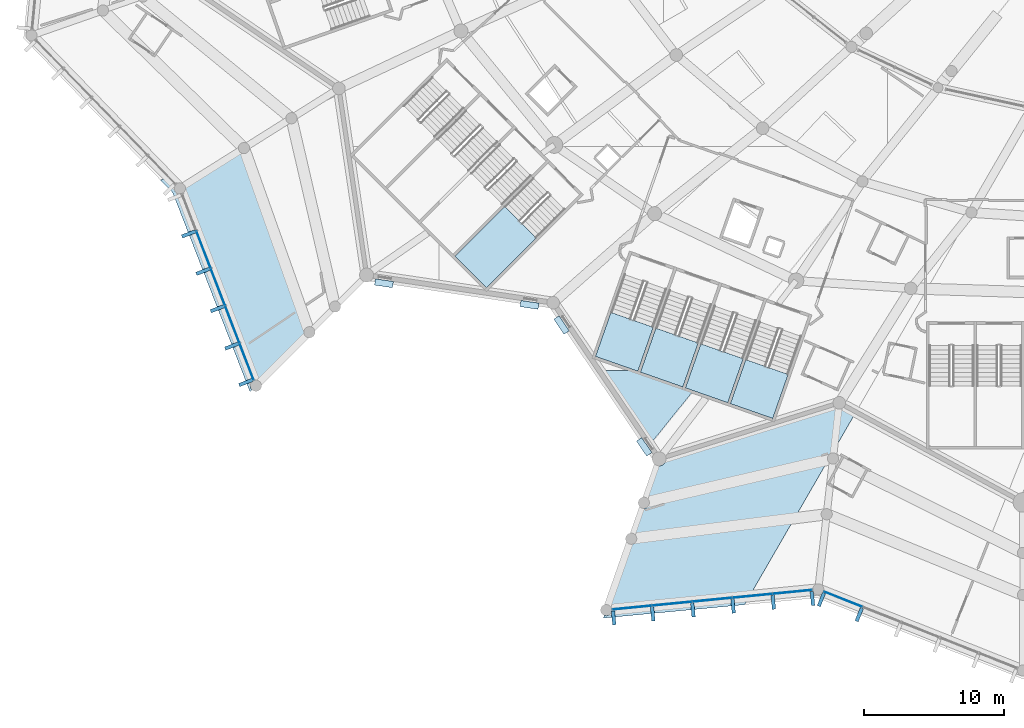
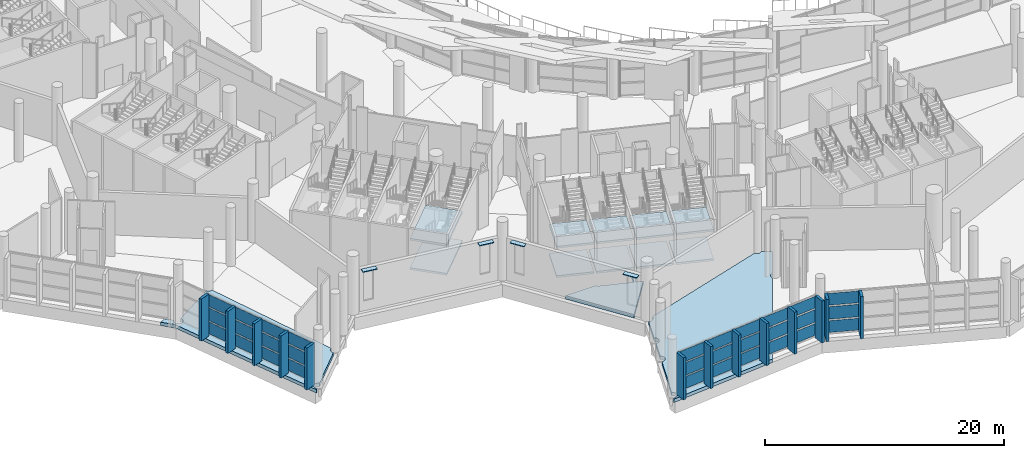
# One storey, part 96 of 249: 47 plates, 13 slabs, 8 elements without a shape of their own.
"""IFC4 building model written with IfcOpenShell, lengths in metres."""

from ifc_helpers import new_model, si_unit, direction, frame, origin, origin_2d, place, context, subcontext, project, spatial, polyline, rectangle, outline, extrude, material, layer, layer_set, type_object, element, aggregate, save


model = new_model("IFC4")

# Units and contexts
model_context = context("Model", 3, precision=1e-05, world=origin(), true_north=direction((0.0, 1.0)))
body_context = subcontext(model_context, "Body", "Model", "MODEL_VIEW")
ifc_project = project(units=[si_unit("LENGTHUNIT", "METRE"), si_unit("AREAUNIT", "SQUARE_METRE"), si_unit("VOLUMEUNIT", "CUBIC_METRE"), si_unit("PLANEANGLEUNIT", "RADIAN"), si_unit("MASSUNIT", "GRAM", prefix="KILO")], contexts=[model_context])

# Site, building, storey
site_placement = place(None, origin())
site = spatial("IfcSite", under=ifc_project, at=site_placement, CompositionType="ELEMENT")
building_placement = place(site_placement, origin())
building = spatial("IfcBuilding", under=site, at=building_placement, Name="Meseta Stadium", CompositionType="ELEMENT")
storey_placement = place(building_placement, frame((0.0, 0.0, 12.0)))
storey = spatial("IfcBuildingStorey", under=building, at=storey_placement, Name="L02", CompositionType="ELEMENT", Elevation=12.0)

# Slabs
ifc_material_1 = material(Name="Concrete C40/50", Category="concrete")
ifc_layer_1 = layer(ifc_material_1, 0.35009765625)
ifc_layer_set_1 = layer_set([ifc_layer_1], Name="Floor slab 350")
slab_type_1 = type_object("IfcSlabType", Name="Floor slab 350", PredefinedType="FLOOR", material=ifc_layer_set_1)
slab_1_placement = place(storey_placement, frame((0.0, 0.0, -0.35009765625)))
element("IfcSlab", 1, at=slab_1_placement, inside=storey, type_object=slab_type_1, Name="Floor slab L02 sector 35 panel 14", PredefinedType="FLOOR", context=body_context, shape_type="SweptSolid", body=[
    extrude(outline(polyline([(-65.8173828125, -96.0380859375), (-65.9267578125, -96.0), (-68.56640625, -96.0), (-64.973388671875, -101.294921875), (-61.85107421875, -97.426025390625), (-62.419677734375, -97.227294921875), (-61.990234375, -96.0), (-62.201904296875, -96.0), (-62.6083984375, -97.1611328125), (-65.62890625, -96.104248046875), (-65.59228515625, -96.0), (-65.80419921875, -96.0), (-65.8173828125, -96.0380859375)])), origin(), (0.0, 0.0, 1.0), 0.35009765625),
])
slab_2_placement = place(storey_placement, frame((0.0, 0.0, -0.35009765625)))
element("IfcSlab", 2, at=slab_2_placement, inside=storey, type_object=slab_type_1, Name="Ring floor slab L02 6 panel 01", PredefinedType="FLOOR", context=body_context, shape_type="SweptSolid", body=[
    extrude(outline(polyline([(-64.297607421875, -102.79541015625), (-64.423828125, -102.77880859375), (-65.22265625, -105.0615234375), (-65.19189453125, -105.07421875), (-65.1083984375, -105.138427734375), (-65.044189453125, -105.221923828125), (-65.00390625, -105.3193359375), (-64.989990234375, -105.423583984375), (-65.00390625, -105.528076171875), (-65.044189453125, -105.62548828125), (-65.1083984375, -105.708984375), (-65.19189453125, -105.773193359375), (-65.289306640625, -105.8134765625), (-65.3935546875, -105.8271484375), (-65.486083984375, -105.81494140625), (-66.12060546875, -107.627685546875), (-66.08984375, -107.640380859375), (-66.00634765625, -107.70458984375), (-65.942138671875, -107.7880859375), (-65.90185546875, -107.885498046875), (-65.88818359375, -107.989990234375), (-65.90185546875, -108.094482421875), (-65.942138671875, -108.191650390625), (-66.00634765625, -108.275146484375), (-66.08984375, -108.33935546875), (-66.18701171875, -108.379638671875), (-66.29150390625, -108.393310546875), (-66.38427734375, -108.38134765625), (-67.507568359375, -111.591796875), (-67.5458984375, -111.57470703125), (-67.942626953125, -112.708740234375), (-67.873291015625, -112.737548828125), (-67.789794921875, -112.801513671875), (-67.7255859375, -112.88525390625), (-67.685302734375, -112.982421875), (-67.671630859375, -113.0869140625), (-67.685302734375, -113.19140625), (-67.7255859375, -113.28857421875), (-67.789794921875, -113.372314453125), (-67.873291015625, -113.436279296875), (-67.970703125, -113.4765625), (-68.0751953125, -113.490478515625), (-68.179443359375, -113.4765625), (-68.20751953125, -113.465087890625), (-68.273193359375, -113.6533203125), (-58.19482421875, -112.697998046875), (-52.25732421875, -102.426025390625), (-52.279052734375, -102.373779296875), (-52.292724609375, -102.269287109375), (-52.279052734375, -102.164794921875), (-52.23876953125, -102.0673828125), (-52.174560546875, -101.98388671875), (-52.091064453125, -101.919921875), (-51.993896484375, -101.879638671875), (-51.937255859375, -101.8720703125), (-50.3193359375, -99.0732421875), (-51.138671875, -98.629150390625), (-51.214599609375, -98.6875), (-51.323974609375, -98.73291015625), (-51.44140625, -98.748291015625), (-51.558837890625, -98.73291015625), (-51.66845703125, -98.6875), (-51.762451171875, -98.615478515625), (-51.802001953125, -98.563720703125), (-63.793212890625, -102.29150390625), (-63.810302734375, -102.421630859375), (-63.860595703125, -102.543212890625), (-63.94091796875, -102.647705078125), (-64.04541015625, -102.727783203125), (-64.1669921875, -102.7783203125), (-64.297607421875, -102.79541015625)])), origin(), (0.0, 0.0, 1.0), 0.35009765625),
])
slab_3_placement = place(storey_placement, frame((0.0, 0.0, -0.35009765625)))
element("IfcSlab", 3, at=slab_3_placement, inside=storey, type_object=slab_type_1, Name="Ring floor slab L02 5 part 2 panel 05", PredefinedType="FLOOR", context=body_context, shape_type="SweptSolid", body=[
    extrude(outline(polyline([(-92.787841796875, -96.787841796875), (-92.12841796875, -96.12841796875), (-92.16064453125, -96.101318359375), (-89.56591796875, -93.506591796875), (-89.604248046875, -93.45654296875), (-89.64453125, -93.359375), (-89.658203125, -93.2548828125), (-89.64453125, -93.150390625), (-89.604248046875, -93.052978515625), (-89.5400390625, -92.969482421875), (-89.45654296875, -92.905517578125), (-89.388916015625, -92.87744140625), (-93.79052734375, -80.490478515625), (-93.8203125, -80.502685546875), (-93.924560546875, -80.5166015625), (-94.029052734375, -80.502685546875), (-94.126220703125, -80.46240234375), (-94.2099609375, -80.398193359375), (-94.264892578125, -80.32666015625), (-98.15673828125, -82.772216796875), (-98.1474609375, -82.7841796875), (-98.107177734375, -82.881591796875), (-98.093505859375, -82.986083984375), (-98.107177734375, -83.09033203125), (-98.1474609375, -83.187744140625), (-98.211669921875, -83.271240234375), (-98.295166015625, -83.33544921875), (-98.392578125, -83.375732421875), (-98.496826171875, -83.389404296875), (-98.601318359375, -83.375732421875), (-98.698486328125, -83.33544921875), (-98.7822265625, -83.271240234375), (-98.84619140625, -83.187744140625), (-98.88671875, -83.09033203125), (-98.900390625, -82.986083984375), (-98.88671875, -82.881591796875), (-98.84619140625, -82.7841796875), (-98.7822265625, -82.70068359375), (-98.77734375, -82.697021484375), (-99.322998046875, -82.135009765625), (-99.877197265625, -82.401611328125), (-99.0048828125, -83.30517578125), (-93.49755859375, -97.49755859375), (-93.3583984375, -97.3583984375), (-93.422607421875, -97.27490234375), (-93.462890625, -97.177490234375), (-93.476806640625, -97.0732421875), (-93.462890625, -96.96875), (-93.422607421875, -96.87158203125), (-93.3583984375, -96.787841796875), (-93.27490234375, -96.723876953125), (-93.217041015625, -96.69970703125), (-93.177490234375, -96.68359375), (-93.0732421875, -96.669921875), (-92.96875, -96.68359375), (-92.87158203125, -96.723876953125), (-92.787841796875, -96.787841796875)])), origin(), (0.0, 0.0, 1.0), 0.35009765625),
])

# Plates
ifc_material_2 = material(Name="White precast concrete C40/50", Category="concrete")
ifc_layer_2 = layer(ifc_material_2, 0.080078125)
ifc_layer_set_2 = layer_set([ifc_layer_2], Name="Louvre hood 1300x450")
plate_type_1 = type_object("IfcPlateType", Name="Louvre hood 1300x450", PredefinedType="USERDEFINED", material=ifc_layer_set_2)
for number, where, z_axis, x_axis, name in (
    (4, (-73.547607421875, -91.30419921875, 4.25), (0.0, 0.0, 1.0), (0.989158212782, -0.146853771096, 0.0), "Louvre hood L02 F40"),
    (5, (-83.933837890625, -89.76220703125, 4.25), (0.0, 0.0, 1.0), (0.989158212782, -0.146853771096, 0.0), "Louvre hood L02 F40"),
    (6, (-71.26123046875, -92.74072265625, 4.25), (0.0, 0.0, 1.0), (0.561490339842, -0.827483291834, 0.0), "Louvre hood L02 F41"),
    (7, (-65.36572265625, -101.42919921875, 4.25), (0.0, 0.0, 1.0), (0.561490339842, -0.827483291834, 0.0), "Louvre hood L02 F41"),
):
    element("IfcPlate", number, at=place(storey_placement, frame(where, z_axis=z_axis, x_axis=x_axis)), inside=storey, type_object=plate_type_1, Name=name, ObjectType="LOUVRE", PredefinedType="USERDEFINED", context=body_context, shape_type="SweptSolid", body=[
        extrude(rectangle(XDim=1.300048828125, YDim=0.449951171875, at=origin_2d()), origin(), (0.0, 0.0, 1.0), 0.080078125),
    ])

# Curtain wall, plates
ifc_material_3 = material(Name="Aluminium", Category="aluminium")
ifc_layer_3 = layer(ifc_material_3, 0.199951171875)
ifc_layer_set_3 = layer_set([ifc_layer_3], Name="Ring shopfront curtain wall")
curtain_wall_type = type_object("IfcCurtainWallType", Name="Ring shopfront curtain wall", PredefinedType="NOTDEFINED", material=ifc_layer_set_3)
curtain_wall_1_placement = place(storey_placement, origin())
curtain_wall_1 = element("IfcCurtainWall", 8, at=curtain_wall_1_placement, inside=storey, type_object=curtain_wall_type, Name="Ring glazing L02 F39", PredefinedType="NOTDEFINED")
ifc_material_4 = material(Name="Glass", Category="glass")
ifc_layer_4 = layer(ifc_material_4, 0.035888671875)
ifc_layer_set_4 = layer_set([ifc_layer_4], Name="Ring CW glass panel 36")
plate_type_2 = type_object("IfcPlateType", Name="Ring CW glass panel 36", PredefinedType="CURTAIN_PANEL", material=ifc_layer_set_4)
plate_1_placement = place(storey_placement, frame((-96.812255859375, -87.361572265625, 0.14990234375), z_axis=(0.0, 0.0, 1.0), x_axis=(0.359302033734, -0.933221328815, 0.0)))
plate_1 = element("IfcPlate", 9, at=plate_1_placement, type_object=plate_type_2, Name="CWR1 panel 2.1", PredefinedType="CURTAIN_PANEL", context=body_context, shape_type="SweptSolid", body=[
    extrude(rectangle(XDim=2.799072265625, YDim=0.035888671875, at=origin_2d()), origin(), (0.0, 0.0, 1.0), 1.208251953125),
])
plate_2_placement = place(storey_placement, frame((-96.812255859375, -87.361572265625, 1.50830078125), z_axis=(0.0, 0.0, 1.0), x_axis=(0.359302033734, -0.933221328815, 0.0)))
plate_2 = element("IfcPlate", 10, at=plate_2_placement, type_object=plate_type_2, Name="CWR1 panel 2.2", PredefinedType="CURTAIN_PANEL", context=body_context, shape_type="SweptSolid", body=[
    extrude(rectangle(XDim=2.799072265625, YDim=0.035888671875, at=origin_2d()), origin(), (0.0, 0.0, 1.0), 1.283447265625),
])
plate_3_placement = place(storey_placement, frame((-96.812255859375, -87.361572265625, 2.94189453125), z_axis=(0.0, 0.0, 1.0), x_axis=(0.359302033734, -0.933221328815, 0.0)))
plate_3 = element("IfcPlate", 11, at=plate_3_placement, type_object=plate_type_2, Name="CWR1 panel 2.3", PredefinedType="CURTAIN_PANEL", context=body_context, shape_type="SweptSolid", body=[
    extrude(rectangle(XDim=2.799072265625, YDim=0.035888671875, at=origin_2d()), origin(), (0.0, 0.0, 1.0), 1.208251953125),
])
plate_4_placement = place(storey_placement, frame((-95.78515625, -90.029541015625, 0.14990234375), z_axis=(0.0, 0.0, 1.0), x_axis=(0.359302033734, -0.933221328815, 0.0)))
plate_4 = element("IfcPlate", 12, at=plate_4_placement, type_object=plate_type_2, Name="CWR1 panel 3.1", PredefinedType="CURTAIN_PANEL", context=body_context, shape_type="SweptSolid", body=[
    extrude(rectangle(XDim=2.799072265625, YDim=0.035888671875, at=origin_2d()), origin(), (0.0, 0.0, 1.0), 1.208251953125),
])
plate_5_placement = place(storey_placement, frame((-95.78515625, -90.029541015625, 1.50830078125), z_axis=(0.0, 0.0, 1.0), x_axis=(0.359302033734, -0.933221328815, 0.0)))
plate_5 = element("IfcPlate", 13, at=plate_5_placement, type_object=plate_type_2, Name="CWR1 panel 3.2", PredefinedType="CURTAIN_PANEL", context=body_context, shape_type="SweptSolid", body=[
    extrude(rectangle(XDim=2.799072265625, YDim=0.035888671875, at=origin_2d()), origin(), (0.0, 0.0, 1.0), 1.283447265625),
])
plate_6_placement = place(storey_placement, frame((-95.78515625, -90.029541015625, 2.94189453125), z_axis=(0.0, 0.0, 1.0), x_axis=(0.359302033734, -0.933221328815, 0.0)))
plate_6 = element("IfcPlate", 14, at=plate_6_placement, type_object=plate_type_2, Name="CWR1 panel 3.3", PredefinedType="CURTAIN_PANEL", context=body_context, shape_type="SweptSolid", body=[
    extrude(rectangle(XDim=2.799072265625, YDim=0.035888671875, at=origin_2d()), origin(), (0.0, 0.0, 1.0), 1.208251953125),
])
plate_7_placement = place(storey_placement, frame((-94.7578125, -92.69775390625, 0.14990234375), z_axis=(0.0, 0.0, 1.0), x_axis=(0.359302033734, -0.933221328815, 0.0)))
plate_7 = element("IfcPlate", 15, at=plate_7_placement, type_object=plate_type_2, Name="CWR1 panel 4.1", PredefinedType="CURTAIN_PANEL", context=body_context, shape_type="SweptSolid", body=[
    extrude(rectangle(XDim=2.799072265625, YDim=0.035888671875, at=origin_2d()), origin(), (0.0, 0.0, 1.0), 1.208251953125),
])
plate_8_placement = place(storey_placement, frame((-94.7578125, -92.69775390625, 1.50830078125), z_axis=(0.0, 0.0, 1.0), x_axis=(0.359302033734, -0.933221328815, 0.0)))
plate_8 = element("IfcPlate", 16, at=plate_8_placement, type_object=plate_type_2, Name="CWR1 panel 4.2", PredefinedType="CURTAIN_PANEL", context=body_context, shape_type="SweptSolid", body=[
    extrude(rectangle(XDim=2.799072265625, YDim=0.035888671875, at=origin_2d()), origin(), (0.0, 0.0, 1.0), 1.283447265625),
])
plate_9_placement = place(storey_placement, frame((-94.7578125, -92.69775390625, 2.94189453125), z_axis=(0.0, 0.0, 1.0), x_axis=(0.359302033734, -0.933221328815, 0.0)))
plate_9 = element("IfcPlate", 17, at=plate_9_placement, type_object=plate_type_2, Name="CWR1 panel 4.3", PredefinedType="CURTAIN_PANEL", context=body_context, shape_type="SweptSolid", body=[
    extrude(rectangle(XDim=2.799072265625, YDim=0.035888671875, at=origin_2d()), origin(), (0.0, 0.0, 1.0), 1.208251953125),
])
plate_10_placement = place(storey_placement, frame((-93.73583984375, -95.351806640625, 0.14990234375), z_axis=(0.0, 0.0, 1.0), x_axis=(0.359302033734, -0.933221328815, 0.0)))
plate_10 = element("IfcPlate", 18, at=plate_10_placement, type_object=plate_type_2, Name="CWR1 panel 5.1", PredefinedType="CURTAIN_PANEL", context=body_context, shape_type="SweptSolid", body=[
    extrude(rectangle(XDim=2.76904296875, YDim=0.035888671875, at=origin_2d()), origin(), (0.0, 0.0, 1.0), 1.208251953125),
])
plate_11_placement = place(storey_placement, frame((-93.73583984375, -95.351806640625, 1.50830078125), z_axis=(0.0, 0.0, 1.0), x_axis=(0.359302033734, -0.933221328815, 0.0)))
plate_11 = element("IfcPlate", 19, at=plate_11_placement, type_object=plate_type_2, Name="CWR1 panel 5.2", PredefinedType="CURTAIN_PANEL", context=body_context, shape_type="SweptSolid", body=[
    extrude(rectangle(XDim=2.76904296875, YDim=0.035888671875, at=origin_2d()), origin(), (0.0, 0.0, 1.0), 1.283447265625),
])
plate_12_placement = place(storey_placement, frame((-93.73583984375, -95.351806640625, 2.94189453125), z_axis=(0.0, 0.0, 1.0), x_axis=(0.359302033734, -0.933221328815, 0.0)))
plate_12 = element("IfcPlate", 20, at=plate_12_placement, type_object=plate_type_2, Name="CWR1 panel 5.3", PredefinedType="CURTAIN_PANEL", context=body_context, shape_type="SweptSolid", body=[
    extrude(rectangle(XDim=2.76904296875, YDim=0.035888671875, at=origin_2d()), origin(), (0.0, 0.0, 1.0), 1.208251953125),
])
aggregate(curtain_wall_1, [plate_1, plate_2, plate_3, plate_4, plate_5, plate_6, plate_7, plate_8, plate_9, plate_10, plate_11, plate_12])

curtain_wall_2_placement = place(storey_placement, origin())
curtain_wall_2 = element("IfcCurtainWall", 21, at=curtain_wall_2_placement, inside=storey, type_object=curtain_wall_type, Name="Ring glazing L02 F42", PredefinedType="NOTDEFINED")
plate_13_placement = place(storey_placement, frame((-66.228271484375, -112.90673828125, 0.14990234375), z_axis=(0.0, 0.0, 1.0), x_axis=(0.995272228282, 0.097124618973, 0.0)))
plate_13 = element("IfcPlate", 22, at=plate_13_placement, type_object=plate_type_2, Name="CWR1 panel 1.1", PredefinedType="CURTAIN_PANEL", context=body_context, shape_type="SweptSolid", body=[
    extrude(rectangle(XDim=2.791015625, YDim=0.035888671875, at=origin_2d()), origin(), (0.0, 0.0, 1.0), 1.208251953125),
])
plate_14_placement = place(storey_placement, frame((-66.228271484375, -112.90673828125, 1.50830078125), z_axis=(0.0, 0.0, 1.0), x_axis=(0.995272228282, 0.097124618973, 0.0)))
plate_14 = element("IfcPlate", 23, at=plate_14_placement, type_object=plate_type_2, Name="CWR1 panel 1.2", PredefinedType="CURTAIN_PANEL", context=body_context, shape_type="SweptSolid", body=[
    extrude(rectangle(XDim=2.791015625, YDim=0.035888671875, at=origin_2d()), origin(), (0.0, 0.0, 1.0), 1.283447265625),
])
plate_15_placement = place(storey_placement, frame((-66.228271484375, -112.90673828125, 2.94189453125), z_axis=(0.0, 0.0, 1.0), x_axis=(0.995272228282, 0.097124618973, 0.0)))
plate_15 = element("IfcPlate", 24, at=plate_15_placement, type_object=plate_type_2, Name="CWR1 panel 1.3", PredefinedType="CURTAIN_PANEL", context=body_context, shape_type="SweptSolid", body=[
    extrude(rectangle(XDim=2.791015625, YDim=0.035888671875, at=origin_2d()), origin(), (0.0, 0.0, 1.0), 1.208251953125),
])
plate_16_placement = place(storey_placement, frame((-63.3759765625, -112.62841796875, 0.14990234375), z_axis=(0.0, 0.0, 1.0), x_axis=(0.995272228282, 0.097124618973, 0.0)))
plate_16 = element("IfcPlate", 25, at=plate_16_placement, type_object=plate_type_2, Name="CWR1 panel 2.1", PredefinedType="CURTAIN_PANEL", context=body_context, shape_type="SweptSolid", body=[
    extrude(rectangle(XDim=2.821044921875, YDim=0.035888671875, at=origin_2d()), origin(), (0.0, 0.0, 1.0), 1.208251953125),
])
plate_17_placement = place(storey_placement, frame((-63.3759765625, -112.62841796875, 1.50830078125), z_axis=(0.0, 0.0, 1.0), x_axis=(0.995272228282, 0.097124618973, 0.0)))
plate_17 = element("IfcPlate", 26, at=plate_17_placement, type_object=plate_type_2, Name="CWR1 panel 2.2", PredefinedType="CURTAIN_PANEL", context=body_context, shape_type="SweptSolid", body=[
    extrude(rectangle(XDim=2.821044921875, YDim=0.035888671875, at=origin_2d()), origin(), (0.0, 0.0, 1.0), 1.283447265625),
])
plate_18_placement = place(storey_placement, frame((-63.3759765625, -112.62841796875, 2.94189453125), z_axis=(0.0, 0.0, 1.0), x_axis=(0.995272228282, 0.097124618973, 0.0)))
plate_18 = element("IfcPlate", 27, at=plate_18_placement, type_object=plate_type_2, Name="CWR1 panel 2.3", PredefinedType="CURTAIN_PANEL", context=body_context, shape_type="SweptSolid", body=[
    extrude(rectangle(XDim=2.821044921875, YDim=0.035888671875, at=origin_2d()), origin(), (0.0, 0.0, 1.0), 1.208251953125),
])
plate_19_placement = place(storey_placement, frame((-60.508544921875, -112.3486328125, 0.14990234375), z_axis=(0.0, 0.0, 1.0), x_axis=(0.995272228282, 0.097124618973, 0.0)))
plate_19 = element("IfcPlate", 28, at=plate_19_placement, type_object=plate_type_2, Name="CWR1 panel 3.1", PredefinedType="CURTAIN_PANEL", context=body_context, shape_type="SweptSolid", body=[
    extrude(rectangle(XDim=2.821044921875, YDim=0.035888671875, at=origin_2d()), origin(), (0.0, 0.0, 1.0), 1.208251953125),
])
plate_20_placement = place(storey_placement, frame((-60.508544921875, -112.3486328125, 1.50830078125), z_axis=(0.0, 0.0, 1.0), x_axis=(0.995272228282, 0.097124618973, 0.0)))
plate_20 = element("IfcPlate", 29, at=plate_20_placement, type_object=plate_type_2, Name="CWR1 panel 3.2", PredefinedType="CURTAIN_PANEL", context=body_context, shape_type="SweptSolid", body=[
    extrude(rectangle(XDim=2.821044921875, YDim=0.035888671875, at=origin_2d()), origin(), (0.0, 0.0, 1.0), 1.283447265625),
])
plate_21_placement = place(storey_placement, frame((-60.508544921875, -112.3486328125, 2.94189453125), z_axis=(0.0, 0.0, 1.0), x_axis=(0.995272228282, 0.097124618973, 0.0)))
plate_21 = element("IfcPlate", 30, at=plate_21_placement, type_object=plate_type_2, Name="CWR1 panel 3.3", PredefinedType="CURTAIN_PANEL", context=body_context, shape_type="SweptSolid", body=[
    extrude(rectangle(XDim=2.821044921875, YDim=0.035888671875, at=origin_2d()), origin(), (0.0, 0.0, 1.0), 1.208251953125),
])
plate_22_placement = place(storey_placement, frame((-57.64111328125, -112.06884765625, 0.14990234375), z_axis=(0.0, 0.0, 1.0), x_axis=(0.995272228282, 0.097124618973, 0.0)))
plate_22 = element("IfcPlate", 31, at=plate_22_placement, type_object=plate_type_2, Name="CWR1 panel 4.1", PredefinedType="CURTAIN_PANEL", context=body_context, shape_type="SweptSolid", body=[
    extrude(rectangle(XDim=2.821044921875, YDim=0.035888671875, at=origin_2d()), origin(), (0.0, 0.0, 1.0), 1.208251953125),
])
plate_23_placement = place(storey_placement, frame((-57.64111328125, -112.06884765625, 1.50830078125), z_axis=(0.0, 0.0, 1.0), x_axis=(0.995272228282, 0.097124618973, 0.0)))
plate_23 = element("IfcPlate", 32, at=plate_23_placement, type_object=plate_type_2, Name="CWR1 panel 4.2", PredefinedType="CURTAIN_PANEL", context=body_context, shape_type="SweptSolid", body=[
    extrude(rectangle(XDim=2.821044921875, YDim=0.035888671875, at=origin_2d()), origin(), (0.0, 0.0, 1.0), 1.283447265625),
])
plate_24_placement = place(storey_placement, frame((-57.64111328125, -112.06884765625, 2.94189453125), z_axis=(0.0, 0.0, 1.0), x_axis=(0.995272228282, 0.097124618973, 0.0)))
plate_24 = element("IfcPlate", 33, at=plate_24_placement, type_object=plate_type_2, Name="CWR1 panel 4.3", PredefinedType="CURTAIN_PANEL", context=body_context, shape_type="SweptSolid", body=[
    extrude(rectangle(XDim=2.821044921875, YDim=0.035888671875, at=origin_2d()), origin(), (0.0, 0.0, 1.0), 1.208251953125),
])
plate_25_placement = place(storey_placement, frame((-54.78857421875, -111.790283203125, 0.14990234375), z_axis=(0.0, 0.0, 1.0), x_axis=(0.995272228282, 0.097124618973, 0.0)))
plate_25 = element("IfcPlate", 34, at=plate_25_placement, type_object=plate_type_2, Name="CWR1 panel 5.1", PredefinedType="CURTAIN_PANEL", context=body_context, shape_type="SweptSolid", body=[
    extrude(rectangle(XDim=2.791015625, YDim=0.035888671875, at=origin_2d()), origin(), (0.0, 0.0, 1.0), 1.208251953125),
])
plate_26_placement = place(storey_placement, frame((-54.78857421875, -111.790283203125, 1.50830078125), z_axis=(0.0, 0.0, 1.0), x_axis=(0.995272228282, 0.097124618973, 0.0)))
plate_26 = element("IfcPlate", 35, at=plate_26_placement, type_object=plate_type_2, Name="CWR1 panel 5.2", PredefinedType="CURTAIN_PANEL", context=body_context, shape_type="SweptSolid", body=[
    extrude(rectangle(XDim=2.791015625, YDim=0.035888671875, at=origin_2d()), origin(), (0.0, 0.0, 1.0), 1.283447265625),
])
plate_27_placement = place(storey_placement, frame((-54.78857421875, -111.790283203125, 2.94189453125), z_axis=(0.0, 0.0, 1.0), x_axis=(0.995272228282, 0.097124618973, 0.0)))
plate_27 = element("IfcPlate", 36, at=plate_27_placement, type_object=plate_type_2, Name="CWR1 panel 5.3", PredefinedType="CURTAIN_PANEL", context=body_context, shape_type="SweptSolid", body=[
    extrude(rectangle(XDim=2.791015625, YDim=0.035888671875, at=origin_2d()), origin(), (0.0, 0.0, 1.0), 1.208251953125),
])
aggregate(curtain_wall_2, [plate_13, plate_14, plate_15, plate_16, plate_17, plate_18, plate_19, plate_20, plate_21, plate_22, plate_23, plate_24, plate_25, plate_26, plate_27])

curtain_wall_3_placement = place(storey_placement, origin())
curtain_wall_3 = element("IfcCurtainWall", 37, at=curtain_wall_3_placement, inside=storey, type_object=curtain_wall_type, Name="Ring glazing L02 F43", PredefinedType="NOTDEFINED")
plate_28_placement = place(storey_placement, frame((-51.16943359375, -112.3125, 0.14990234375), z_axis=(0.0, 0.0, 1.0), x_axis=(0.929646142614, -0.368453592088, 0.0)))
plate_28 = element("IfcPlate", 38, at=plate_28_placement, type_object=plate_type_2, Name="CWR1 panel 1.1", PredefinedType="CURTAIN_PANEL", context=body_context, shape_type="SweptSolid", body=[
    extrude(rectangle(XDim=2.892822265625, YDim=0.035888671875, at=origin_2d()), origin(), (0.0, 0.0, 1.0), 1.208251953125),
])
plate_29_placement = place(storey_placement, frame((-51.16943359375, -112.3125, 1.50830078125), z_axis=(0.0, 0.0, 1.0), x_axis=(0.929646142614, -0.368453592088, 0.0)))
plate_29 = element("IfcPlate", 39, at=plate_29_placement, type_object=plate_type_2, Name="CWR1 panel 1.2", PredefinedType="CURTAIN_PANEL", context=body_context, shape_type="SweptSolid", body=[
    extrude(rectangle(XDim=2.892822265625, YDim=0.035888671875, at=origin_2d()), origin(), (0.0, 0.0, 1.0), 1.283447265625),
])
plate_30_placement = place(storey_placement, frame((-51.16943359375, -112.3125, 2.94189453125), z_axis=(0.0, 0.0, 1.0), x_axis=(0.929646142614, -0.368453592088, 0.0)))
plate_30 = element("IfcPlate", 40, at=plate_30_placement, type_object=plate_type_2, Name="CWR1 panel 1.3", PredefinedType="CURTAIN_PANEL", context=body_context, shape_type="SweptSolid", body=[
    extrude(rectangle(XDim=2.892822265625, YDim=0.035888671875, at=origin_2d()), origin(), (0.0, 0.0, 1.0), 1.208251953125),
])
aggregate(curtain_wall_3, [plate_28, plate_29, plate_30])

# Plates
ifc_material_5 = material(Name="Precast concrete C40/50", Category="concrete")
ifc_layer_5 = layer(ifc_material_5, 0.25)
ifc_layer_set_5 = layer_set([ifc_layer_5], Name="Ring brise-soleil fin 250x1000")
plate_type_3 = type_object("IfcPlateType", Name="Ring brise-soleil fin 250x1000", PredefinedType="USERDEFINED", material=ifc_layer_set_5)
for number, where, z_axis, x_axis, name in (
    (41, (-97.885986328125, -86.242919921875, 0.0), (0.0, 0.0, 1.0), (0.359298161815, -0.933222819543, 0.0), "Brise-soleil fin L02 F39.2"),
    (42, (-96.858642578125, -88.9111328125, 0.0), (0.0, 0.0, 1.0), (0.359298161815, -0.933222819543, 0.0), "Brise-soleil fin L02 F39.3"),
    (43, (-95.831298828125, -91.5791015625, 0.0), (0.0, 0.0, 1.0), (0.359298161815, -0.933222819543, 0.0), "Brise-soleil fin L02 F39.4"),
    (44, (-94.80419921875, -94.247314453125, 0.0), (0.0, 0.0, 1.0), (0.359298161815, -0.933222819543, 0.0), "Brise-soleil fin L02 F39.5"),
    (45, (-93.8037109375, -96.845458984375, 0.0), (0.0, 0.0, 1.0), (0.359298161815, -0.933222819543, 0.0), "Brise-soleil fin L02 F39.6"),
    (46, (-67.5439453125, -113.637939453125, 0.0), (0.0, 0.0, 1.0), (0.995272426819, 0.097122584472, 0.0), "Brise-soleil fin L02 F42.1"),
    (47, (-64.751220703125, -113.365478515625, 0.0), (0.0, 0.0, 1.0), (0.995272426819, 0.097122584472, 0.0), "Brise-soleil fin L02 F42.2"),
    (48, (-61.8837890625, -113.085693359375, 0.0), (0.0, 0.0, 1.0), (0.995272426819, 0.097122584472, 0.0), "Brise-soleil fin L02 F42.3"),
    (49, (-59.0166015625, -112.805908203125, 0.0), (0.0, 0.0, 1.0), (0.995272426819, 0.097122584472, 0.0), "Brise-soleil fin L02 F42.4"),
    (50, (-56.14892578125, -112.52587890625, 0.0), (0.0, 0.0, 1.0), (0.995272426819, 0.097122584472, 0.0), "Brise-soleil fin L02 F42.5"),
    (51, (-53.356201171875, -112.25341796875, 0.0), (0.0, 0.0, 1.0), (0.995272426819, 0.097122584472, 0.0), "Brise-soleil fin L02 F42.6"),
    (52, (-52.72119140625, -112.343017578125, 0.0), (0.0, 0.0, 1.0), (0.929647286469, -0.368450706012, 0.0), "Brise-soleil fin L02 F43.1"),
    (53, (-50.01806640625, -113.414306640625, 0.0), (0.0, 0.0, 1.0), (0.929647286469, -0.368450706012, 0.0), "Brise-soleil fin L02 F43.2"),
):
    element("IfcPlate", number, at=place(storey_placement, frame(where, z_axis=z_axis, x_axis=x_axis)), inside=storey, type_object=plate_type_3, Name=name, ObjectType="FIN", PredefinedType="USERDEFINED", context=body_context, shape_type="SweptSolid", body=[
        extrude(rectangle(XDim=0.25, YDim=1.0, at=origin_2d()), origin(), (0.0, 0.0, 1.0), 4.300048828125),
    ])

# Stair, slabs
ifc_material_6 = material(Name="Concrete C40/50", Category="concrete")
stair_type = type_object("IfcStairType", Name="Exit stair 4 flights 150 mm risers", PredefinedType="HALF_TURN_STAIR", material=ifc_material_6)
stair_1_placement = place(storey_placement, origin())
stair_1 = element("IfcStair", 54, at=stair_1_placement, inside=storey, type_object=stair_type, Name="ST84 L02", PredefinedType="HALF_TURN_STAIR")
ifc_material_7 = material(Name="Concrete C40/50", Category="concrete")
ifc_layer_6 = layer(ifc_material_7, 0.199951171875)
ifc_layer_set_6 = layer_set([ifc_layer_6], Name="Stair landing 200")
slab_type_2 = type_object("IfcSlabType", Name="Stair landing 200", PredefinedType="LANDING", material=ifc_layer_set_6)
slab_4_placement = place(storey_placement, frame((0.0, 0.0, 1.300048828125)))
slab_4 = element("IfcSlab", 55, at=slab_4_placement, type_object=slab_type_2, Name="ST84 L02 landing 1", PredefinedType="LANDING", context=body_context, shape_type="SweptSolid", body=[
    extrude(outline(polyline([(-75.32373046875, -84.2734375), (-78.88037109375, -87.830322265625), (-76.61767578125, -90.093017578125), (-73.06103515625, -86.5361328125), (-75.32373046875, -84.2734375)])), origin(), (0.0, 0.0, 1.0), 0.199951171875),
])
slab_5_placement = place(storey_placement, frame((0.0, 0.0, 4.300048828125)))
slab_5 = element("IfcSlab", 56, at=slab_5_placement, type_object=slab_type_2, Name="ST84 L02 landing 3", PredefinedType="LANDING", context=body_context, shape_type="SweptSolid", body=[
    extrude(outline(polyline([(-75.32373046875, -84.2734375), (-78.88037109375, -87.830322265625), (-76.61767578125, -90.093017578125), (-73.06103515625, -86.5361328125), (-75.32373046875, -84.2734375)])), origin(), (0.0, 0.0, 1.0), 0.199951171875),
])
aggregate(stair_1, [slab_4, slab_5])

stair_2_placement = place(storey_placement, origin())
stair_2 = element("IfcStair", 57, at=stair_2_placement, inside=storey, type_object=stair_type, Name="ST85 L02", PredefinedType="HALF_TURN_STAIR")
slab_6_placement = place(storey_placement, frame((0.0, 0.0, 1.300048828125)))
slab_6 = element("IfcSlab", 58, at=slab_6_placement, type_object=slab_type_2, Name="ST85 L02 landing 1", PredefinedType="LANDING", context=body_context, shape_type="SweptSolid", body=[
    extrude(outline(polyline([(-67.738037109375, -91.838134765625), (-68.837890625, -94.981201171875), (-65.817626953125, -96.0380859375), (-64.7177734375, -92.89501953125), (-67.738037109375, -91.838134765625)])), origin(), (0.0, 0.0, 1.0), 0.199951171875),
])
slab_7_placement = place(storey_placement, frame((0.0, 0.0, 4.300048828125)))
slab_7 = element("IfcSlab", 59, at=slab_7_placement, type_object=slab_type_2, Name="ST85 L02 landing 3", PredefinedType="LANDING", context=body_context, shape_type="SweptSolid", body=[
    extrude(outline(polyline([(-67.738037109375, -91.838134765625), (-68.837890625, -94.981201171875), (-65.817626953125, -96.0380859375), (-64.7177734375, -92.89501953125), (-67.738037109375, -91.838134765625)])), origin(), (0.0, 0.0, 1.0), 0.199951171875),
])
aggregate(stair_2, [slab_6, slab_7])

stair_3_placement = place(storey_placement, origin())
stair_3 = element("IfcStair", 60, at=stair_3_placement, inside=storey, type_object=stair_type, Name="ST86 L02", PredefinedType="HALF_TURN_STAIR")
slab_8_placement = place(storey_placement, frame((0.0, 0.0, 1.300048828125)))
slab_8 = element("IfcSlab", 61, at=slab_8_placement, type_object=slab_type_2, Name="ST86 L02 landing 1", PredefinedType="LANDING", context=body_context, shape_type="SweptSolid", body=[
    extrude(outline(polyline([(-64.529052734375, -92.961181640625), (-65.628662109375, -96.104248046875), (-62.6083984375, -97.1611328125), (-61.508544921875, -94.01806640625), (-64.529052734375, -92.961181640625)])), origin(), (0.0, 0.0, 1.0), 0.199951171875),
])
slab_9_placement = place(storey_placement, frame((0.0, 0.0, 4.300048828125)))
slab_9 = element("IfcSlab", 62, at=slab_9_placement, type_object=slab_type_2, Name="ST86 L02 landing 3", PredefinedType="LANDING", context=body_context, shape_type="SweptSolid", body=[
    extrude(outline(polyline([(-64.529052734375, -92.961181640625), (-65.628662109375, -96.104248046875), (-62.6083984375, -97.1611328125), (-61.508544921875, -94.01806640625), (-64.529052734375, -92.961181640625)])), origin(), (0.0, 0.0, 1.0), 0.199951171875),
])
aggregate(stair_3, [slab_8, slab_9])

stair_4_placement = place(storey_placement, origin())
stair_4 = element("IfcStair", 63, at=stair_4_placement, inside=storey, type_object=stair_type, Name="ST87 L02", PredefinedType="HALF_TURN_STAIR")
slab_10_placement = place(storey_placement, frame((0.0, 0.0, 1.300048828125)))
slab_10 = element("IfcSlab", 64, at=slab_10_placement, type_object=slab_type_2, Name="ST87 L02 landing 1", PredefinedType="LANDING", context=body_context, shape_type="SweptSolid", body=[
    extrude(outline(polyline([(-61.31982421875, -94.083984375), (-62.419677734375, -97.227294921875), (-59.399169921875, -98.2841796875), (-58.29931640625, -95.140869140625), (-61.31982421875, -94.083984375)])), origin(), (0.0, 0.0, 1.0), 0.199951171875),
])
slab_11_placement = place(storey_placement, frame((0.0, 0.0, 4.300048828125)))
slab_11 = element("IfcSlab", 65, at=slab_11_placement, type_object=slab_type_2, Name="ST87 L02 landing 3", PredefinedType="LANDING", context=body_context, shape_type="SweptSolid", body=[
    extrude(outline(polyline([(-61.31982421875, -94.083984375), (-62.419677734375, -97.227294921875), (-59.399169921875, -98.2841796875), (-58.29931640625, -95.140869140625), (-61.31982421875, -94.083984375)])), origin(), (0.0, 0.0, 1.0), 0.199951171875),
])
aggregate(stair_4, [slab_10, slab_11])

stair_5_placement = place(storey_placement, origin())
stair_5 = element("IfcStair", 66, at=stair_5_placement, inside=storey, type_object=stair_type, Name="ST88 L02", PredefinedType="HALF_TURN_STAIR")
slab_12_placement = place(storey_placement, frame((0.0, 0.0, 1.300048828125)))
slab_12 = element("IfcSlab", 67, at=slab_12_placement, type_object=slab_type_2, Name="ST88 L02 landing 1", PredefinedType="LANDING", context=body_context, shape_type="SweptSolid", body=[
    extrude(outline(polyline([(-58.110595703125, -95.20703125), (-59.21044921875, -98.35009765625), (-56.18994140625, -99.406982421875), (-55.090087890625, -96.263916015625), (-58.110595703125, -95.20703125)])), origin(), (0.0, 0.0, 1.0), 0.199951171875),
])
slab_13_placement = place(storey_placement, frame((0.0, 0.0, 4.300048828125)))
slab_13 = element("IfcSlab", 68, at=slab_13_placement, type_object=slab_type_2, Name="ST88 L02 landing 3", PredefinedType="LANDING", context=body_context, shape_type="SweptSolid", body=[
    extrude(outline(polyline([(-58.110595703125, -95.20703125), (-59.21044921875, -98.35009765625), (-56.18994140625, -99.406982421875), (-55.090087890625, -96.263916015625), (-58.110595703125, -95.20703125)])), origin(), (0.0, 0.0, 1.0), 0.199951171875),
])
aggregate(stair_5, [slab_12, slab_13])

save(model, "model.ifc")
